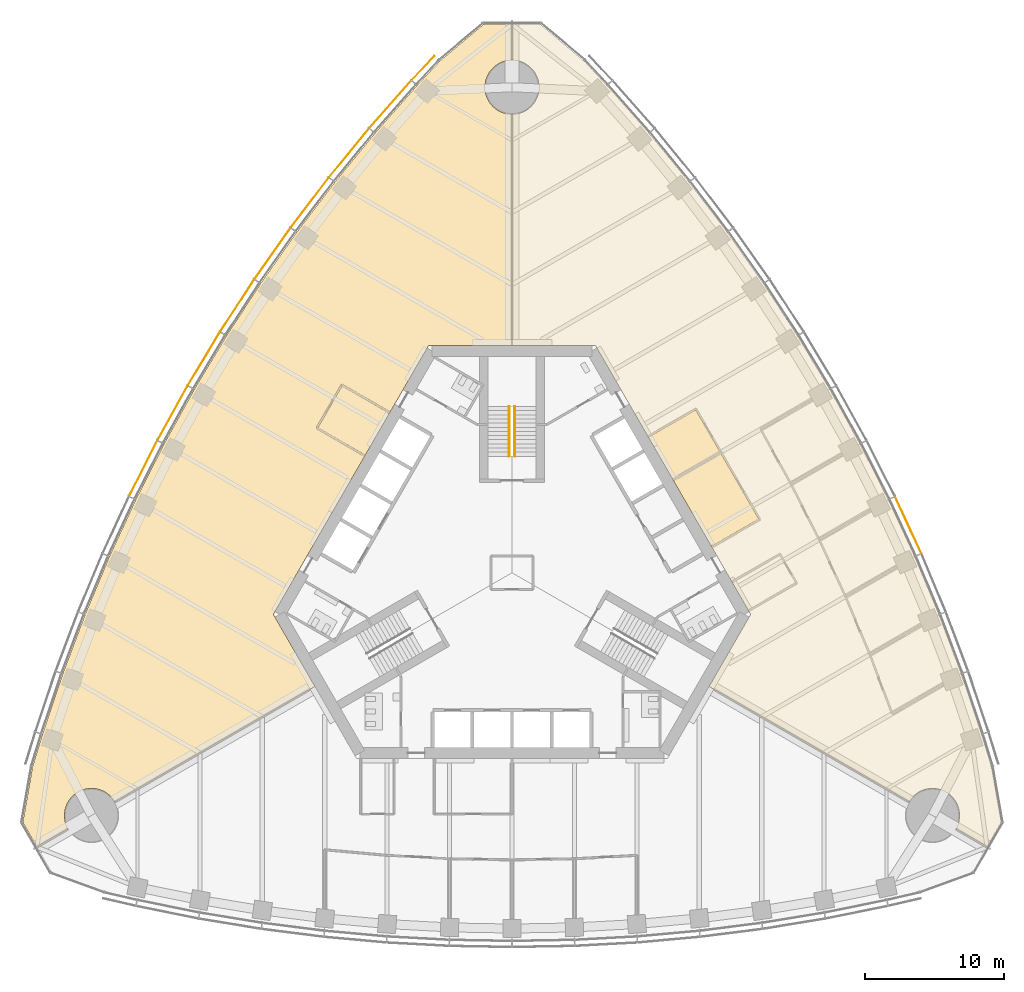
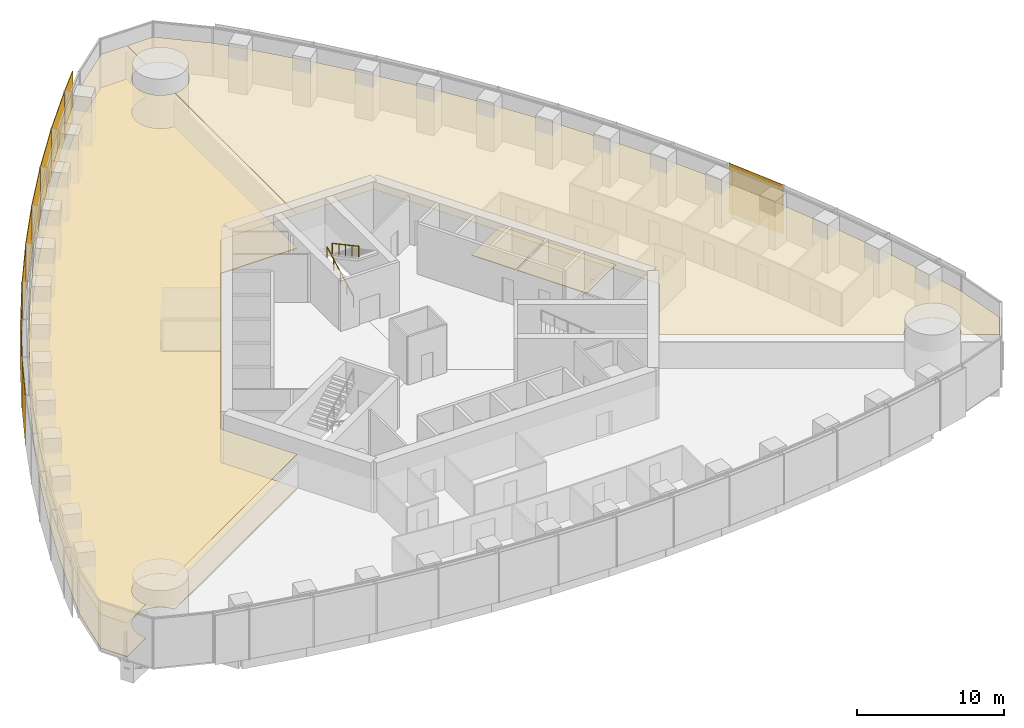
# One storey, part 16 of 19: 10 shading devices, 6 coverings, 2 railings.
"""IFC4 building model written with IfcOpenShell, lengths in metres."""

from ifc_helpers import new_model, si_unit, direction, frame, origin, origin_2d, place, context, subcontext, project, spatial, polyline, rectangle, circle, outline, extrude, material, layer, layer_set, type_object, element, save


model = new_model("IFC4")

# Units and contexts
model_context = context("Model", 3, precision=1e-05, world=origin(), true_north=direction((0.0, 1.0)))
body_context = subcontext(model_context, "Body", "Model", "MODEL_VIEW")
ifc_project = project(units=[si_unit("LENGTHUNIT", "METRE"), si_unit("AREAUNIT", "SQUARE_METRE"), si_unit("VOLUMEUNIT", "CUBIC_METRE"), si_unit("PLANEANGLEUNIT", "RADIAN"), si_unit("MASSUNIT", "GRAM", prefix="KILO")], contexts=[model_context])

# Site, building, storey
site_placement = place(None, origin())
site = spatial("IfcSite", under=ifc_project, at=site_placement, CompositionType="ELEMENT")
building_placement = place(site_placement, origin())
building = spatial("IfcBuilding", under=site, at=building_placement, Name="Trefoil Bronze Tower", CompositionType="ELEMENT")
storey_placement = place(building_placement, frame((0.0, 0.0, 124.10009765625)))
storey = spatial("IfcBuildingStorey", under=building, at=storey_placement, Name="L28", CompositionType="ELEMENT", Elevation=124.10009765625)

# Shading devices
ifc_material_1 = material(Name="Perforated bronze sheet", Category="bronze")
ifc_layer_1 = layer(ifc_material_1, 0.0400390625)
ifc_layer_set_1 = layer_set([ifc_layer_1], Name="Bronze solar screen panel")
shading_device_type = type_object("IfcShadingDeviceType", Name="Bronze solar screen panel", PredefinedType="SHUTTER", material=ifc_layer_set_1)
shading_device_1_placement = place(storey_placement, frame((28.563720703125, 3.444580078125, 0.0498046875), z_axis=(0.0, 0.0, 1.0), x_axis=(-0.419932995871, 0.907555110712, 0.0)))
element("IfcShadingDevice", 1, at=shading_device_1_placement, inside=storey, type_object=shading_device_type, Name="Solar screen CW-A L28 F2 bay 5", PredefinedType="SHUTTER", context=body_context, shape_type="SweptSolid", body=[
    extrude(rectangle(XDim=4.48828125, YDim=0.0400390625, at=origin_2d()), origin(), (0.0, 0.0, 1.0), 4.10009765625),
])
shading_device_2_placement = place(storey_placement, frame((-6.416748046875, 36.383544921875, 0.0498046875), z_axis=(0.0, 0.0, 1.0), x_axis=(-0.682535770759, -0.730852188636, 0.0)))
element("IfcShadingDevice", 2, at=shading_device_2_placement, inside=storey, type_object=shading_device_type, Name="Solar screen CW-A L28 F3 bay 1", PredefinedType="SHUTTER", context=body_context, shape_type="SweptSolid", body=[
    extrude(rectangle(XDim=2.39013671875, YDim=0.0400390625, at=origin_2d()), origin(), (0.0, 0.0, 1.0), 4.10009765625),
])
shading_device_3_placement = place(storey_placement, frame((-8.77197265625, 33.766845703125, 0.0498046875), z_axis=(0.0, 0.0, 1.0), x_axis=(-0.661751405978, -0.749723333428, 0.0)))
element("IfcShadingDevice", 3, at=shading_device_3_placement, inside=storey, type_object=shading_device_type, Name="Solar screen CW-A L28 F3 bay 2", PredefinedType="SHUTTER", context=body_context, shape_type="SweptSolid", body=[
    extrude(rectangle(XDim=4.56103515625, YDim=0.0400390625, at=origin_2d()), origin(), (0.0, 0.0, 1.0), 4.10009765625),
])
shading_device_4_placement = place(storey_placement, frame((-11.7490234375, 30.26708984375, 0.0498046875), z_axis=(0.0, 0.0, 1.0), x_axis=(-0.633839916024, -0.773464259584, 0.0)))
element("IfcShadingDevice", 4, at=shading_device_4_placement, inside=storey, type_object=shading_device_type, Name="Solar screen CW-A L28 F3 bay 3", PredefinedType="SHUTTER", context=body_context, shape_type="SweptSolid", body=[
    extrude(rectangle(XDim=4.5302734375, YDim=0.0400390625, at=origin_2d()), origin(), (0.0, 0.0, 1.0), 4.10009765625),
])
shading_device_5_placement = place(storey_placement, frame((-14.579345703125, 26.6826171875, 0.0498046875), z_axis=(0.0, 0.0, 1.0), x_axis=(-0.605252319983, -0.796033685943, 0.0)))
element("IfcShadingDevice", 5, at=shading_device_5_placement, inside=storey, type_object=shading_device_type, Name="Solar screen CW-A L28 F3 bay 4", PredefinedType="SHUTTER", context=body_context, shape_type="SweptSolid", body=[
    extrude(rectangle(XDim=4.50634765625, YDim=0.0400390625, at=origin_2d()), origin(), (0.0, 0.0, 1.0), 4.10009765625),
])
shading_device_6_placement = place(storey_placement, frame((-17.264892578125, 23.014404296875, 0.0498046875), z_axis=(0.0, 0.0, 1.0), x_axis=(-0.575999283275, -0.817450197667, 0.0)))
element("IfcShadingDevice", 6, at=shading_device_6_placement, inside=storey, type_object=shading_device_type, Name="Solar screen CW-A L28 F3 bay 5", PredefinedType="SHUTTER", context=body_context, shape_type="SweptSolid", body=[
    extrude(rectangle(XDim=4.48828125, YDim=0.0400390625, at=origin_2d()), origin(), (0.0, 0.0, 1.0), 4.10009765625),
])
shading_device_7_placement = place(storey_placement, frame((-19.8076171875, 19.263916015625, 0.0498046875), z_axis=(0.0, 0.0, 1.0), x_axis=(-0.546088612237, -0.837727418427, 0.0)))
element("IfcShadingDevice", 7, at=shading_device_7_placement, inside=storey, type_object=shading_device_type, Name="Solar screen CW-A L28 F3 bay 6", PredefinedType="SHUTTER", context=body_context, shape_type="SweptSolid", body=[
    extrude(rectangle(XDim=4.4765625, YDim=0.0400390625, at=origin_2d()), origin(), (0.0, 0.0, 1.0), 4.10009765625),
])
for number, where, z_axis, x_axis, name in (
    (8, (-22.208740234375, 15.431396484375, 0.0498046875), (0.0, 0.0, 1.0), (-0.515525413486, -0.856874289526, 0.0), "Solar screen CW-A L28 F3 bay 7"),
    (9, (-24.468505859375, 11.517578125, 0.0498046875), (0.0, 0.0, 1.0), (-0.484312195836, -0.874895249138, 0.0), "Solar screen CW-A L28 F3 bay 8"),
):
    element("IfcShadingDevice", number, at=place(storey_placement, frame(where, z_axis=z_axis, x_axis=x_axis)), inside=storey, type_object=shading_device_type, Name=name, PredefinedType="SHUTTER", context=body_context, shape_type="SweptSolid", body=[
        extrude(rectangle(XDim=4.470703125, YDim=0.0400390625, at=origin_2d()), origin(), (0.0, 0.0, 1.0), 4.10009765625),
    ])
shading_device_8_placement = place(storey_placement, frame((-26.5869140625, 7.52197265625, 0.0498046875), z_axis=(0.0, 0.0, 1.0), x_axis=(-0.452448919686, -0.891790320128, 0.0)))
element("IfcShadingDevice", 10, at=shading_device_8_placement, inside=storey, type_object=shading_device_type, Name="Solar screen CW-A L28 F3 bay 9", PredefinedType="SHUTTER", context=body_context, shape_type="SweptSolid", body=[
    extrude(rectangle(XDim=4.4765625, YDim=0.0400390625, at=origin_2d()), origin(), (0.0, 0.0, 1.0), 4.10009765625),
])

# Railings
ifc_material_2 = material(Name="Steel handrail", Category="steel")
railing_type = type_object("IfcRailingType", Name="Handrail 900", PredefinedType="HANDRAIL", material=ifc_material_2)
railing_1_placement = place(storey_placement, frame((-0.199951171875, 8.389892578125, 0.161376953125)))
element("IfcRailing", 11, at=railing_1_placement, inside=storey, type_object=railing_type, Name="Handrail ST2 flight 1 L28", PredefinedType="HANDRAIL", context=body_context, shape_type="SweptSolid", body=[
    extrude(circle(Radius=0.02392578125, at=origin_2d()), frame((0.0, 0.0, 0.8759765625), z_axis=(0.0, 0.880474934443, 0.474092701714), x_axis=(-1.0, 0.0, 0.0)), (0.0, 0.0, 1.0), 4.0888671875),
    extrude(circle(Radius=0.02099609375, at=origin_2d()), origin(), (0.0, 0.0, 1.0), 0.851806640625),
    extrude(circle(Radius=0.02099609375, at=origin_2d()), frame((0.0, 0.89990234375, 0.484619140625)), (0.0, 0.0, 1.0), 0.851806640625),
    extrude(circle(Radius=0.02099609375, at=origin_2d()), frame((0.0, 1.800048828125, 0.96923828125)), (0.0, 0.0, 1.0), 0.851806640625),
    extrude(circle(Radius=0.02099609375, at=origin_2d()), frame((0.0, 2.7001953125, 1.453857421875)), (0.0, 0.0, 1.0), 0.851806640625),
    extrude(circle(Radius=0.02099609375, at=origin_2d()), frame((0.0, 3.60009765625, 1.9384765625)), (0.0, 0.0, 1.0), 0.851806640625),
])
railing_2_placement = place(storey_placement, frame((0.199951171875, 11.989990234375, 2.261474609375)))
element("IfcRailing", 12, at=railing_2_placement, inside=storey, type_object=railing_type, Name="Handrail ST2 flight 2 L28", PredefinedType="HANDRAIL", context=body_context, shape_type="SweptSolid", body=[
    extrude(circle(Radius=0.02392578125, at=origin_2d()), frame((0.0, 0.0, 0.8759765625), z_axis=(0.0, -0.880474934443, 0.474092701714), x_axis=(1.0, 0.0, 0.0)), (0.0, 0.0, 1.0), 4.0888671875),
    extrude(circle(Radius=0.02099609375, at=origin_2d()), origin(), (0.0, 0.0, 1.0), 0.851806640625),
    extrude(circle(Radius=0.02099609375, at=origin_2d()), frame((0.0, -0.89990234375, 0.484619140625)), (0.0, 0.0, 1.0), 0.851806640625),
    extrude(circle(Radius=0.02099609375, at=origin_2d()), frame((0.0, -1.800048828125, 0.96923828125)), (0.0, 0.0, 1.0), 0.851806640625),
    extrude(circle(Radius=0.02099609375, at=origin_2d()), frame((0.0, -2.7001953125, 1.453857421875)), (0.0, 0.0, 1.0), 0.851806640625),
    extrude(circle(Radius=0.02099609375, at=origin_2d()), frame((0.0, -3.60009765625, 1.9384765625)), (0.0, 0.0, 1.0), 0.851806640625),
])

# Coverings
ifc_material_3 = material(Name="Acoustic ceiling panels", Category="mineral fibre")
ifc_layer_2 = layer(ifc_material_3, 0.02001953125)
ifc_layer_set_2 = layer_set([ifc_layer_2], Name="Office ceiling 20")
covering_type_1 = type_object("IfcCoveringType", Name="Office ceiling 20", PredefinedType="CEILING", material=ifc_layer_set_2)
covering_1_placement = place(storey_placement, frame((0.0, 0.0, 2.89990234375)))
element("IfcCovering", 13, at=covering_1_placement, inside=storey, type_object=covering_type_1, Name="Ceiling L28 Open-plan office F2", PredefinedType="CEILING", context=body_context, shape_type="SweptSolid", body=[
    extrude(outline(polyline([(6.847900390625, 35.130615234375), (9.885986328125, 31.6884765625), (12.776611328125, 28.1611328125), (15.522216796875, 24.55029296875), (18.124755859375, 20.856689453125), (20.585693359375, 17.081298828125), (22.906005859375, 13.224853515625), (25.085693359375, 9.287109375), (27.124755859375, 5.268310546875), (29.022216796875, 1.16748046875), (30.776611328125, -3.015625), (32.385986328125, -7.28271484375), (33.847900390625, -11.634765625), (34.5537109375, -13.94970703125), (35.2666015625, -17.99169921875), (34.247802734375, -19.755859375), (32.006103515625, -18.462646484375), (32.030517578125, -18.419189453125), (32.07373046875, -18.333740234375), (32.112548828125, -18.24609375), (32.14697265625, -18.156982421875), (32.177001953125, -18.066162109375), (32.202392578125, -17.973876953125), (32.223388671875, -17.88037109375), (32.23974609375, -17.7861328125), (32.25146484375, -17.691162109375), (32.258544921875, -17.595703125), (32.260986328125, -17.5), (32.258544921875, -17.404296875), (32.25146484375, -17.308837890625), (32.23974609375, -17.2138671875), (32.223388671875, -17.11962890625), (32.202392578125, -17.026123046875), (32.177001953125, -16.933837890625), (32.14697265625, -16.843017578125), (32.112548828125, -16.75390625), (32.07373046875, -16.666259765625), (32.030517578125, -16.580810546875), (31.9833984375, -16.49755859375), (31.932373046875, -16.41650390625), (31.877197265625, -16.33837890625), (31.818359375, -16.262939453125), (31.755615234375, -16.1904296875), (31.689697265625, -16.12109375), (31.620361328125, -16.05517578125), (31.548095703125, -15.99267578125), (31.472412109375, -15.93359375), (31.394287109375, -15.878662109375), (31.3134765625, -15.827392578125), (31.22998046875, -15.7802734375), (31.14453125, -15.7373046875), (31.05712890625, -15.698486328125), (30.9677734375, -15.6640625), (30.876953125, -15.634033203125), (30.78466796875, -15.6083984375), (30.69140625, -15.58740234375), (30.596923828125, -15.571044921875), (30.501953125, -15.559326171875), (30.406494140625, -15.55224609375), (30.310791015625, -15.550048828125), (30.215087890625, -15.55224609375), (30.119873046875, -15.559326171875), (30.02490234375, -15.571044921875), (29.930419921875, -15.58740234375), (29.837158203125, -15.6083984375), (29.744873046875, -15.634033203125), (29.654052734375, -15.6640625), (29.564697265625, -15.698486328125), (29.477294921875, -15.7373046875), (29.3916015625, -15.7802734375), (29.308349609375, -15.827392578125), (29.2275390625, -15.878662109375), (29.1494140625, -15.93359375), (29.07373046875, -15.99267578125), (29.001220703125, -16.05517578125), (28.931884765625, -16.12109375), (28.865966796875, -16.1904296875), (28.803466796875, -16.262939453125), (28.74462890625, -16.33837890625), (28.689453125, -16.41650390625), (28.628662109375, -16.514404296875), (14.205810546875, -8.194580078125), (17.205078125, -3.0), (6.00439453125, 16.39990234375), (0.006103515625, 16.39990234375), (0.012451171875, 33.05029296875), (0.095703125, 33.05224609375), (0.191162109375, 33.059326171875), (0.2861328125, 33.071044921875), (0.38037109375, 33.08740234375), (0.473876953125, 33.1083984375), (0.566162109375, 33.134033203125), (0.656982421875, 33.1640625), (0.74609375, 33.198486328125), (0.833740234375, 33.2373046875), (0.919189453125, 33.2802734375), (1.00244140625, 33.327392578125), (1.08349609375, 33.378662109375), (1.16162109375, 33.43359375), (1.237060546875, 33.49267578125), (1.3095703125, 33.55517578125), (1.37890625, 33.62109375), (1.44482421875, 33.6904296875), (1.50732421875, 33.762939453125), (1.56640625, 33.83837890625), (1.621337890625, 33.91650390625), (1.672607421875, 33.99755859375), (1.7197265625, 34.080810546875), (1.7626953125, 34.166259765625), (1.801513671875, 34.25390625), (1.8359375, 34.343017578125), (1.865966796875, 34.433837890625), (1.8916015625, 34.526123046875), (1.91259765625, 34.61962890625), (1.928955078125, 34.7138671875), (1.940673828125, 34.808837890625), (1.94775390625, 34.904296875), (1.949951171875, 35.0), (1.94775390625, 35.095703125), (1.940673828125, 35.191162109375), (1.928955078125, 35.2861328125), (1.91259765625, 35.38037109375), (1.8916015625, 35.473876953125), (1.865966796875, 35.566162109375), (1.8359375, 35.656982421875), (1.801513671875, 35.74609375), (1.7626953125, 35.833740234375), (1.7197265625, 35.919189453125), (1.672607421875, 36.00244140625), (1.621337890625, 36.08349609375), (1.56640625, 36.16162109375), (1.50732421875, 36.237060546875), (1.44482421875, 36.3095703125), (1.37890625, 36.37890625), (1.3095703125, 36.44482421875), (1.237060546875, 36.50732421875), (1.16162109375, 36.56640625), (1.08349609375, 36.621337890625), (1.00244140625, 36.672607421875), (0.919189453125, 36.7197265625), (0.833740234375, 36.7626953125), (0.74609375, 36.801513671875), (0.656982421875, 36.8359375), (0.566162109375, 36.865966796875), (0.473876953125, 36.8916015625), (0.38037109375, 36.91259765625), (0.2861328125, 36.928955078125), (0.191162109375, 36.940673828125), (0.095703125, 36.94775390625), (0.013916015625, 36.94970703125), (0.014892578125, 39.53759765625), (2.052001953125, 39.53759765625), (5.1962890625, 36.8994140625), (6.847900390625, 35.130615234375)])), origin(), (0.0, 0.0, 1.0), 0.02001953125),
])
covering_2_placement = place(storey_placement, frame((0.0, 0.0, 2.89990234375)))
element("IfcCovering", 14, at=covering_2_placement, inside=storey, type_object=covering_type_1, Name="Ceiling L28 Open-plan office F3", PredefinedType="CEILING", context=body_context, shape_type="SweptSolid", body=[
    extrude(outline(polyline([(-33.847900390625, -11.634765625), (-32.385986328125, -7.28271484375), (-30.776611328125, -3.015625), (-29.022216796875, 1.16748046875), (-27.124755859375, 5.268310546875), (-25.085693359375, 9.287109375), (-22.906005859375, 13.224853515625), (-20.585693359375, 17.081298828125), (-18.124755859375, 20.856689453125), (-15.522216796875, 24.55029296875), (-12.776611328125, 28.1611328125), (-9.885986328125, 31.6884765625), (-6.847900390625, 35.130615234375), (-5.1962890625, 36.8994140625), (-2.052001953125, 39.53759765625), (-0.014892578125, 39.53759765625), (-0.013916015625, 36.94970703125), (-0.095703125, 36.94775390625), (-0.191162109375, 36.940673828125), (-0.2861328125, 36.928955078125), (-0.38037109375, 36.91259765625), (-0.473876953125, 36.8916015625), (-0.566162109375, 36.865966796875), (-0.656982421875, 36.8359375), (-0.74609375, 36.801513671875), (-0.833740234375, 36.7626953125), (-0.919189453125, 36.7197265625), (-1.00244140625, 36.672607421875), (-1.08349609375, 36.621337890625), (-1.16162109375, 36.56640625), (-1.237060546875, 36.50732421875), (-1.3095703125, 36.44482421875), (-1.37890625, 36.37890625), (-1.44482421875, 36.3095703125), (-1.50732421875, 36.237060546875), (-1.56640625, 36.16162109375), (-1.621337890625, 36.08349609375), (-1.672607421875, 36.00244140625), (-1.7197265625, 35.919189453125), (-1.7626953125, 35.833740234375), (-1.801513671875, 35.74609375), (-1.8359375, 35.656982421875), (-1.865966796875, 35.566162109375), (-1.8916015625, 35.473876953125), (-1.91259765625, 35.38037109375), (-1.928955078125, 35.2861328125), (-1.940673828125, 35.191162109375), (-1.94775390625, 35.095703125), (-1.949951171875, 35.0), (-1.94775390625, 34.904296875), (-1.940673828125, 34.808837890625), (-1.928955078125, 34.7138671875), (-1.91259765625, 34.61962890625), (-1.8916015625, 34.526123046875), (-1.865966796875, 34.433837890625), (-1.8359375, 34.343017578125), (-1.801513671875, 34.25390625), (-1.7626953125, 34.166259765625), (-1.7197265625, 34.080810546875), (-1.672607421875, 33.99755859375), (-1.621337890625, 33.91650390625), (-1.56640625, 33.83837890625), (-1.50732421875, 33.762939453125), (-1.44482421875, 33.6904296875), (-1.37890625, 33.62109375), (-1.3095703125, 33.55517578125), (-1.237060546875, 33.49267578125), (-1.16162109375, 33.43359375), (-1.08349609375, 33.378662109375), (-1.00244140625, 33.327392578125), (-0.919189453125, 33.2802734375), (-0.833740234375, 33.2373046875), (-0.74609375, 33.198486328125), (-0.656982421875, 33.1640625), (-0.566162109375, 33.134033203125), (-0.473876953125, 33.1083984375), (-0.38037109375, 33.08740234375), (-0.2861328125, 33.071044921875), (-0.191162109375, 33.059326171875), (-0.095703125, 33.05224609375), (-0.012451171875, 33.05029296875), (-0.006103515625, 16.39990234375), (-6.00439453125, 16.39990234375), (-17.205078125, -3.0), (-14.205810546875, -8.194580078125), (-28.628662109375, -16.514404296875), (-28.689453125, -16.41650390625), (-28.74462890625, -16.33837890625), (-28.803466796875, -16.262939453125), (-28.865966796875, -16.1904296875), (-28.931884765625, -16.12109375), (-29.001220703125, -16.05517578125), (-29.07373046875, -15.99267578125), (-29.1494140625, -15.93359375), (-29.2275390625, -15.878662109375), (-29.308349609375, -15.827392578125), (-29.3916015625, -15.7802734375), (-29.477294921875, -15.7373046875), (-29.564697265625, -15.698486328125), (-29.654052734375, -15.6640625), (-29.744873046875, -15.634033203125), (-29.837158203125, -15.6083984375), (-29.930419921875, -15.58740234375), (-30.02490234375, -15.571044921875), (-30.119873046875, -15.559326171875), (-30.215087890625, -15.55224609375), (-30.310791015625, -15.550048828125), (-30.406494140625, -15.55224609375), (-30.501953125, -15.559326171875), (-30.596923828125, -15.571044921875), (-30.69140625, -15.58740234375), (-30.78466796875, -15.6083984375), (-30.876953125, -15.634033203125), (-30.9677734375, -15.6640625), (-31.05712890625, -15.698486328125), (-31.14453125, -15.7373046875), (-31.22998046875, -15.7802734375), (-31.3134765625, -15.827392578125), (-31.394287109375, -15.878662109375), (-31.472412109375, -15.93359375), (-31.548095703125, -15.99267578125), (-31.620361328125, -16.05517578125), (-31.689697265625, -16.12109375), (-31.755615234375, -16.1904296875), (-31.818359375, -16.262939453125), (-31.877197265625, -16.33837890625), (-31.932373046875, -16.41650390625), (-31.9833984375, -16.49755859375), (-32.030517578125, -16.580810546875), (-32.07373046875, -16.666259765625), (-32.112548828125, -16.75390625), (-32.14697265625, -16.843017578125), (-32.177001953125, -16.933837890625), (-32.202392578125, -17.026123046875), (-32.223388671875, -17.11962890625), (-32.23974609375, -17.2138671875), (-32.25146484375, -17.308837890625), (-32.258544921875, -17.404296875), (-32.260986328125, -17.5), (-32.258544921875, -17.595703125), (-32.25146484375, -17.691162109375), (-32.23974609375, -17.7861328125), (-32.223388671875, -17.88037109375), (-32.202392578125, -17.973876953125), (-32.177001953125, -18.066162109375), (-32.14697265625, -18.156982421875), (-32.112548828125, -18.24609375), (-32.07373046875, -18.333740234375), (-32.030517578125, -18.419189453125), (-32.006103515625, -18.462646484375), (-34.247802734375, -19.755859375), (-35.2666015625, -17.99169921875), (-34.5537109375, -13.94970703125), (-33.847900390625, -11.634765625)])), origin(), (0.0, 0.0, 1.0), 0.02001953125),
])
ifc_material_4 = material(Name="Raised access floor panels", Category="steel")
ifc_layer_3 = layer(ifc_material_4, 0.050048828125)
ifc_layer_set_3 = layer_set([ifc_layer_3], Name="Raised access floor 150")
covering_type_2 = type_object("IfcCoveringType", Name="Raised access floor 150", PredefinedType="FLOORING", material=ifc_layer_set_3)
covering_3_placement = place(storey_placement, frame((0.0, 0.0, 0.099853515625)))
element("IfcCovering", 15, at=covering_3_placement, inside=storey, type_object=covering_type_2, Name="Raised floor L28 Meeting room F2", PredefinedType="FLOORING", context=body_context, shape_type="SweptSolid", body=[
    extrude(outline(polyline([(11.634765625, 6.64794921875), (15.046875, 8.617919921875), (17.786865234375, 3.872314453125), (14.374755859375, 1.902099609375), (11.634765625, 6.64794921875)])), origin(), (0.0, 0.0, 1.0), 0.050048828125),
])
covering_4_placement = place(storey_placement, frame((0.0, 0.0, 0.099853515625)))
element("IfcCovering", 16, at=covering_4_placement, inside=storey, type_object=covering_type_2, Name="Raised floor L28 Meeting room F2", PredefinedType="FLOORING", context=body_context, shape_type="SweptSolid", body=[
    extrude(outline(polyline([(9.834716796875, 9.765625), (13.246826171875, 11.735595703125), (14.98681640625, 8.721923828125), (11.57470703125, 6.751953125), (9.834716796875, 9.765625)])), origin(), (0.0, 0.0, 1.0), 0.050048828125),
])
covering_5_placement = place(storey_placement, frame((0.0, 0.0, 0.099853515625)))
element("IfcCovering", 17, at=covering_5_placement, inside=storey, type_object=covering_type_2, Name="Raised floor L28 Meeting room F3", PredefinedType="FLOORING", context=body_context, shape_type="SweptSolid", body=[
    extrude(outline(polyline([(-10.57470703125, 8.48388671875), (-13.98681640625, 10.4541015625), (-12.246826171875, 13.4677734375), (-8.834716796875, 11.497802734375), (-10.57470703125, 8.48388671875)])), origin(), (0.0, 0.0, 1.0), 0.050048828125),
])
covering_6_placement = place(storey_placement, frame((0.0, 0.0, 0.099853515625)))
element("IfcCovering", 18, at=covering_6_placement, inside=storey, type_object=covering_type_2, Name="Raised floor L28 Open-plan office F3", PredefinedType="FLOORING", context=body_context, shape_type="SweptSolid", body=[
    extrude(outline(polyline([(-6.00439453125, 16.39990234375), (-8.774658203125, 11.601806640625), (-12.23876953125, 13.601806640625), (-12.268798828125, 13.5498046875), (-12.32080078125, 13.57958984375), (-14.120849609375, 10.462158203125), (-14.06884765625, 10.43212890625), (-14.098876953125, 10.380126953125), (-10.634765625, 8.380126953125), (-17.205078125, -3.0), (-14.205810546875, -8.194580078125), (-28.628662109375, -16.514404296875), (-28.689453125, -16.41650390625), (-28.74462890625, -16.33837890625), (-28.803466796875, -16.262939453125), (-28.865966796875, -16.1904296875), (-28.931884765625, -16.12109375), (-29.001220703125, -16.05517578125), (-29.07373046875, -15.99267578125), (-29.1494140625, -15.93359375), (-29.2275390625, -15.878662109375), (-29.308349609375, -15.827392578125), (-29.3916015625, -15.7802734375), (-29.477294921875, -15.7373046875), (-29.564697265625, -15.698486328125), (-29.654052734375, -15.6640625), (-29.744873046875, -15.634033203125), (-29.837158203125, -15.6083984375), (-29.930419921875, -15.58740234375), (-30.02490234375, -15.571044921875), (-30.119873046875, -15.559326171875), (-30.215087890625, -15.55224609375), (-30.310791015625, -15.550048828125), (-30.406494140625, -15.55224609375), (-30.501953125, -15.559326171875), (-30.596923828125, -15.571044921875), (-30.69140625, -15.58740234375), (-30.78466796875, -15.6083984375), (-30.876953125, -15.634033203125), (-30.9677734375, -15.6640625), (-31.05712890625, -15.698486328125), (-31.14453125, -15.7373046875), (-31.22998046875, -15.7802734375), (-31.3134765625, -15.827392578125), (-31.394287109375, -15.878662109375), (-31.472412109375, -15.93359375), (-31.548095703125, -15.99267578125), (-31.620361328125, -16.05517578125), (-31.689697265625, -16.12109375), (-31.755615234375, -16.1904296875), (-31.818359375, -16.262939453125), (-31.877197265625, -16.33837890625), (-31.932373046875, -16.41650390625), (-31.9833984375, -16.49755859375), (-32.030517578125, -16.580810546875), (-32.07373046875, -16.666259765625), (-32.112548828125, -16.75390625), (-32.14697265625, -16.843017578125), (-32.177001953125, -16.933837890625), (-32.202392578125, -17.026123046875), (-32.223388671875, -17.11962890625), (-32.23974609375, -17.2138671875), (-32.25146484375, -17.308837890625), (-32.258544921875, -17.404296875), (-32.260986328125, -17.5), (-32.258544921875, -17.595703125), (-32.25146484375, -17.691162109375), (-32.23974609375, -17.7861328125), (-32.223388671875, -17.88037109375), (-32.202392578125, -17.973876953125), (-32.177001953125, -18.066162109375), (-32.14697265625, -18.156982421875), (-32.112548828125, -18.24609375), (-32.07373046875, -18.333740234375), (-32.030517578125, -18.419189453125), (-32.006103515625, -18.462646484375), (-34.247802734375, -19.755859375), (-35.2666015625, -17.99169921875), (-34.5537109375, -13.94970703125), (-33.847900390625, -11.634765625), (-32.385986328125, -7.28271484375), (-30.776611328125, -3.015625), (-29.022216796875, 1.16748046875), (-27.124755859375, 5.268310546875), (-25.085693359375, 9.287109375), (-22.906005859375, 13.224853515625), (-20.585693359375, 17.081298828125), (-18.124755859375, 20.856689453125), (-15.522216796875, 24.55029296875), (-12.776611328125, 28.1611328125), (-9.885986328125, 31.6884765625), (-6.847900390625, 35.130615234375), (-5.1962890625, 36.8994140625), (-2.052001953125, 39.53759765625), (-0.014892578125, 39.53759765625), (-0.013916015625, 36.94970703125), (-0.095703125, 36.94775390625), (-0.191162109375, 36.940673828125), (-0.2861328125, 36.928955078125), (-0.38037109375, 36.91259765625), (-0.473876953125, 36.8916015625), (-0.566162109375, 36.865966796875), (-0.656982421875, 36.8359375), (-0.74609375, 36.801513671875), (-0.833740234375, 36.7626953125), (-0.919189453125, 36.7197265625), (-1.00244140625, 36.672607421875), (-1.08349609375, 36.621337890625), (-1.16162109375, 36.56640625), (-1.237060546875, 36.50732421875), (-1.3095703125, 36.44482421875), (-1.37890625, 36.37890625), (-1.44482421875, 36.3095703125), (-1.50732421875, 36.237060546875), (-1.56640625, 36.16162109375), (-1.621337890625, 36.08349609375), (-1.672607421875, 36.00244140625), (-1.7197265625, 35.919189453125), (-1.7626953125, 35.833740234375), (-1.801513671875, 35.74609375), (-1.8359375, 35.656982421875), (-1.865966796875, 35.566162109375), (-1.8916015625, 35.473876953125), (-1.91259765625, 35.38037109375), (-1.928955078125, 35.2861328125), (-1.940673828125, 35.191162109375), (-1.94775390625, 35.095703125), (-1.949951171875, 35.0), (-1.94775390625, 34.904296875), (-1.940673828125, 34.808837890625), (-1.928955078125, 34.7138671875), (-1.91259765625, 34.61962890625), (-1.8916015625, 34.526123046875), (-1.865966796875, 34.433837890625), (-1.8359375, 34.343017578125), (-1.801513671875, 34.25390625), (-1.7626953125, 34.166259765625), (-1.7197265625, 34.080810546875), (-1.672607421875, 33.99755859375), (-1.621337890625, 33.91650390625), (-1.56640625, 33.83837890625), (-1.50732421875, 33.762939453125), (-1.44482421875, 33.6904296875), (-1.37890625, 33.62109375), (-1.3095703125, 33.55517578125), (-1.237060546875, 33.49267578125), (-1.16162109375, 33.43359375), (-1.08349609375, 33.378662109375), (-1.00244140625, 33.327392578125), (-0.919189453125, 33.2802734375), (-0.833740234375, 33.2373046875), (-0.74609375, 33.198486328125), (-0.656982421875, 33.1640625), (-0.566162109375, 33.134033203125), (-0.473876953125, 33.1083984375), (-0.38037109375, 33.08740234375), (-0.2861328125, 33.071044921875), (-0.191162109375, 33.059326171875), (-0.095703125, 33.05224609375), (-0.012451171875, 33.05029296875), (-0.006103515625, 16.39990234375), (-6.00439453125, 16.39990234375)])), origin(), (0.0, 0.0, 1.0), 0.050048828125),
])

save(model, "model.ifc")
